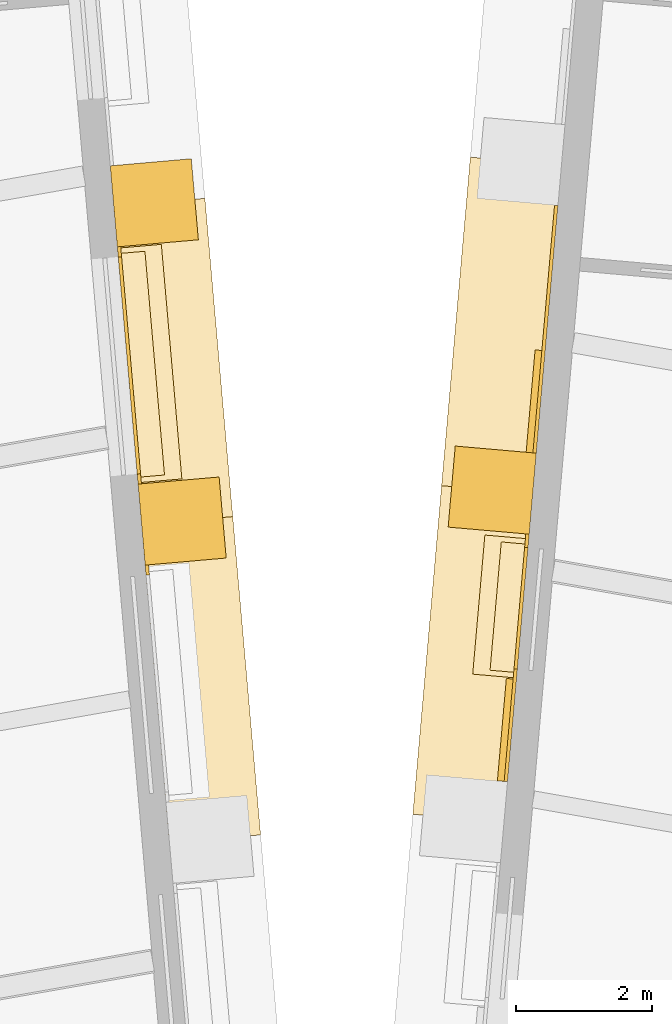
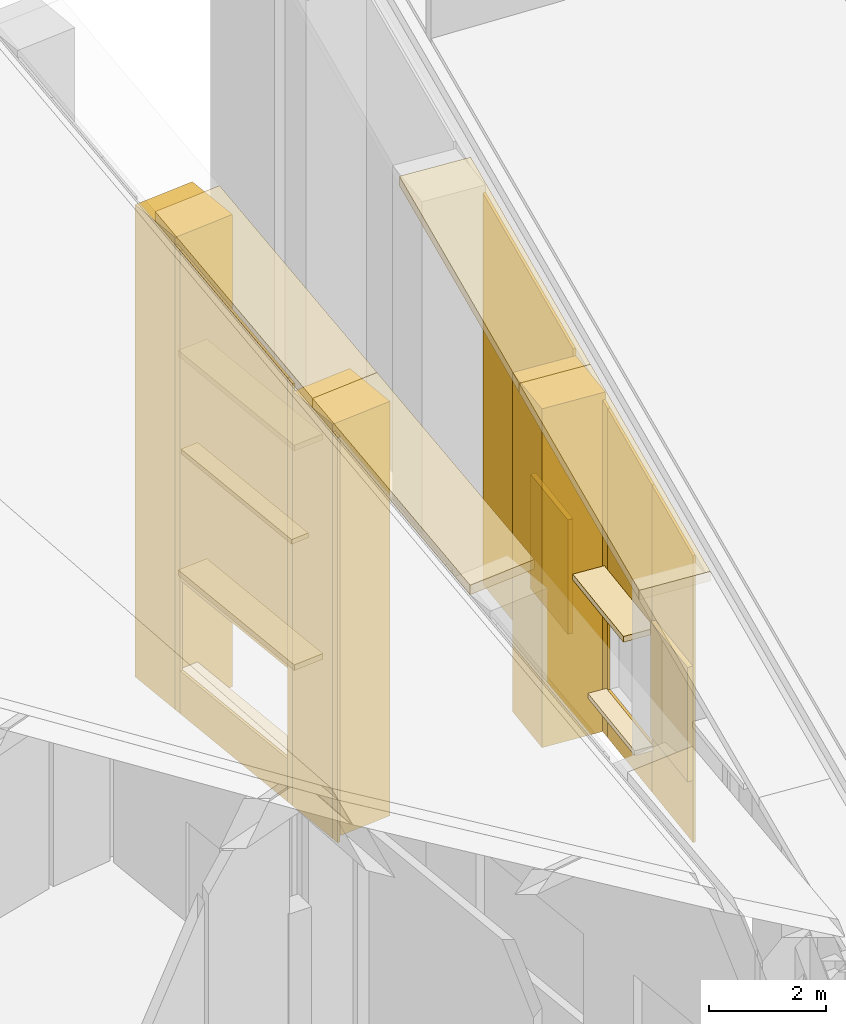
# One storey, part 77 of 82: 25 coverings.
"""IFC4 building model written with IfcOpenShell, lengths in metres."""

from ifc_helpers import new_model, si_unit, direction, frame, origin, origin_2d, place, context, subcontext, project, spatial, polyline, rectangle, outline, extrude, material, layer, layer_set, type_object, element, save


model = new_model("IFC4")

# Units and contexts
model_context = context("Model", 3, precision=1e-05, world=origin(), true_north=direction((0.0, 1.0)))
body_context = subcontext(model_context, "Body", "Model", "MODEL_VIEW")
ifc_project = project(units=[si_unit("LENGTHUNIT", "METRE"), si_unit("AREAUNIT", "SQUARE_METRE"), si_unit("VOLUMEUNIT", "CUBIC_METRE"), si_unit("PLANEANGLEUNIT", "RADIAN"), si_unit("MASSUNIT", "GRAM", prefix="KILO")], contexts=[model_context])

# Site, building, storey
site_placement = place(None, origin())
site = spatial("IfcSite", under=ifc_project, at=site_placement, CompositionType="ELEMENT")
building_placement = place(site_placement, origin())
building = spatial("IfcBuilding", under=site, at=building_placement, Name="Volute Hill Aquarium", CompositionType="ELEMENT")
storey_placement = place(building_placement, frame((0.0, 0.0, 13.800048828125)))
storey = spatial("IfcBuildingStorey", under=building, at=storey_placement, Name="L04", CompositionType="ELEMENT", Elevation=13.800048828125)

# Coverings
ifc_material_1 = material(Name="Aluminium", Category="aluminium")
ifc_layer_1 = layer(ifc_material_1, 0.10009765625)
ifc_layer_set_1 = layer_set([ifc_layer_1], Name="End wall plant louvre panel 100")
covering_type_1 = type_object("IfcCoveringType", Name="End wall plant louvre panel 100", PredefinedType="CLADDING", material=ifc_layer_set_1)
for number, where, z_axis, x_axis, name in (
    (1, (2.499755859375, 32.01416015625, 1.300048828125), (0.0, 0.0, 1.0), (0.087153815516, 0.996194866701, 0.0), "End wall plant louvre EWV S5B L04 3"),
    (2, (2.923828125, 36.861572265625, 1.300048828125), (0.0, 0.0, 1.0), (0.087153815516, 0.996194866701, 0.0), "End wall plant louvre EWV S5B L04 4"),
):
    element("IfcCovering", number, at=place(storey_placement, frame(where, z_axis=z_axis, x_axis=x_axis)), inside=storey, type_object=covering_type_1, Name=name, PredefinedType="CLADDING", context=body_context, shape_type="SweptSolid", body=[
        extrude(rectangle(XDim=1.51611328125, YDim=0.10009765625, at=origin_2d()), origin(), (0.0, 0.0, 1.0), 2.39990234375),
    ])
ifc_material_2 = material(Name="Precast concrete C40/50", Category="concrete")
covering_type_2 = type_object("IfcCoveringType", Name="End wall precast coping C40/50 1350x200", PredefinedType="CLADDING", material=ifc_material_2)
covering_1_placement = place(storey_placement, frame((2.48095703125, 30.65234375, 5.848876953125), z_axis=(0.99619545994, -0.087147034343, 0.0), x_axis=(0.08440264314, 0.964823766376, 0.248980508608)))
element("IfcCovering", 3, at=covering_1_placement, inside=storey, type_object=covering_type_2, Name="End wall coping EWC S5B L04 3", PredefinedType="CLADDING", context=body_context, shape_type="SweptSolid", body=[
    extrude(outline(polyline([(0.0, 0.0), (5.024395562110999, 0.0), (5.074179506581116, 0.19365440869544437), (0.04978394447011659, 0.1936544086954442), (0.0, 0.0)])), origin(), (0.0, 0.0, -1.0), 1.35009765625),
])
covering_2_placement = place(storey_placement, frame((2.905029296875, 35.5, 7.099853515625), z_axis=(0.996195078883, -0.08715139018, 0.0), x_axis=(0.084406600266, 0.964820407765, 0.248992181787)))
element("IfcCovering", 4, at=covering_2_placement, inside=storey, type_object=covering_type_2, Name="End wall coping EWC S5B L04 4", PredefinedType="CLADDING", context=body_context, shape_type="SweptSolid", body=[
    extrude(outline(polyline([(0.0, 0.0), (5.024160009843639, 2.220446049250313e-16), (5.0739462883797435, 0.1936538086475741), (0.04978627853610476, 0.19365380864757398), (0.0, 0.0)])), origin(), (0.0, 0.0, -1.0), 1.35009765625),
])
covering_3_placement = place(storey_placement, frame((-1.109619140625, 30.4658203125, 7.47021484375), z_axis=(0.996193211486, 0.087172733059, 0.0), x_axis=(-0.084426732205, 0.964812442367, 0.249016220242)))
element("IfcCovering", 5, at=covering_3_placement, inside=storey, type_object=covering_type_2, Name="End wall coping EWC S6A L04 3", PredefinedType="CLADDING", context=body_context, shape_type="SweptSolid", body=[
    extrude(outline(polyline([(0.0, 0.0), (4.866807717680861, -2.220446049250313e-16), (4.916598802734071, 0.19365257288094506), (0.049851880028855024, 0.19388902290888285), (0.0, 0.0)])), origin(), (0.0, 0.0, -1.0), 1.35009765625),
])
covering_4_placement = place(storey_placement, frame((-1.5205078125, 35.161376953125, 8.68212890625), z_axis=(0.996197315023, 0.087125825908, 0.0), x_axis=(-0.084382063124, 0.964825111774, 0.248982270681)))
element("IfcCovering", 6, at=covering_4_placement, inside=storey, type_object=covering_type_2, Name="End wall coping EWC S6A L04 4", PredefinedType="CLADDING", context=body_context, shape_type="SweptSolid", body=[
    extrude(outline(polyline([(0.0, 0.0), (4.866490768847544, 0.0), (4.916275065646276, 0.19365431811979206), (0.04978429679873208, 0.1936543181197919), (0.0, 0.0)])), origin(), (0.0, 0.0, -1.0), 1.35009765625),
])
ifc_material_3 = material(Name="Precast concrete C40/50", Category="concrete")
covering_type_3 = type_object("IfcCoveringType", Name="End wall precast fin C40/50 1200x1200", PredefinedType="CLADDING", material=ifc_material_3)
covering_5_placement = place(storey_placement, frame((2.307373046875, 35.55224609375, 0.0), z_axis=(0.0, 0.0, 1.0), x_axis=(0.087153815516, 0.996194866701, 0.0)))
element("IfcCovering", 7, at=covering_5_placement, inside=storey, type_object=covering_type_3, Name="End wall fin EWF S5B L04 4", PredefinedType="CLADDING", context=body_context, shape_type="SweptSolid", body=[
    extrude(rectangle(XDim=1.199951171875, YDim=1.199951171875, at=origin_2d()), origin(), (0.0, 0.0, 1.0), 7.099853515625),
])
covering_6_placement = place(storey_placement, frame((-2.267578125, 35.095947265625, 0.0), z_axis=(0.0, 0.0, 1.0), x_axis=(-0.08715511842, 0.996194752713, 0.0)))
element("IfcCovering", 8, at=covering_6_placement, inside=storey, type_object=covering_type_3, Name="End wall fin EWF S6A L04 4", PredefinedType="CLADDING", context=body_context, shape_type="SweptSolid", body=[
    extrude(rectangle(XDim=1.199951171875, YDim=1.199951171875, at=origin_2d()), origin(), (0.0, 0.0, 1.0), 8.68212890625),
])
covering_7_placement = place(storey_placement, frame((-2.67822265625, 39.791259765625, 0.0), z_axis=(0.0, 0.0, 1.0), x_axis=(-0.08715511842, 0.996194752713, 0.0)))
element("IfcCovering", 9, at=covering_7_placement, inside=storey, type_object=covering_type_3, Name="End wall fin EWF S6A L04 5", PredefinedType="CLADDING", context=body_context, shape_type="SweptSolid", body=[
    extrude(rectangle(XDim=1.199951171875, YDim=1.199951171875, at=origin_2d()), origin(), (0.0, 0.0, 1.0), 9.893798828125),
])
ifc_material_4 = material(Name="Precast concrete C40/50", Category="concrete")
ifc_layer_2 = layer(ifc_material_4, 0.050048828125)
ifc_layer_set_2 = layer_set([ifc_layer_2], Name="End wall precast infill panel C40/50 50")
covering_type_4 = type_object("IfcCoveringType", Name="End wall precast infill panel C40/50 50", PredefinedType="CLADDING", material=ifc_layer_set_2)
covering_8_placement = place(storey_placement, frame((2.533203125, 31.25, 0.0), z_axis=(0.996192604141, -0.087179673403, 0.0), x_axis=(0.087179673403, 0.996192604141, 0.0)))
element("IfcCovering", 10, at=covering_8_placement, inside=storey, type_object=covering_type_4, Name="End wall panel EWP S5B L04 3", PredefinedType="CLADDING", context=body_context, shape_type="SweptSolid", body=[
    extrude(outline(polyline([(0.0, 0.0), (1.666256206354944, 0.0), (1.666256206354944, 6.431396484375), (0.0, 6.003173828125), (0.0, 0.0)])), origin(), (0.0, 0.0, -1.0), 0.050048828125),
])
covering_9_placement = place(storey_placement, frame((2.678466796875, 32.909912109375, 0.0), z_axis=(0.996190036199, -0.087209012019, 0.0), x_axis=(0.087209012019, 0.996190036199, 0.0)))
element("IfcCovering", 11, at=covering_9_placement, inside=storey, type_object=covering_type_4, Name="End wall panel EWP S5B L04 3", PredefinedType="CLADDING", context=body_context, shape_type="SweptSolid", body=[
    extrude(outline(polyline([(0.0, 0.0), (1.8000710963407553, 0.0), (1.8000710963407553, 1.0), (0.0, 1.0), (0.0, 0.0)])), origin(), (0.0, 0.0, -1.0), 0.050048828125),
])
covering_10_placement = place(storey_placement, frame((2.678466796875, 32.909912109375, 3.39990234375), z_axis=(0.996190036199, -0.087209012019, 0.0), x_axis=(0.087209012019, 0.996190036199, 0.0)))
element("IfcCovering", 12, at=covering_10_placement, inside=storey, type_object=covering_type_4, Name="End wall panel EWP S5B L04 3", PredefinedType="CLADDING", context=body_context, shape_type="SweptSolid", body=[
    extrude(outline(polyline([(0.0, 0.0), (1.8000710963407553, 0.0), (1.8000710963407553, 3.494384765625001), (0.0, 3.031494140625001), (0.0, 0.0)])), origin(), (0.0, 0.0, -1.0), 0.050048828125),
])
covering_11_placement = place(storey_placement, frame((2.83544921875, 34.703125, 0.0), z_axis=(0.996226815431, -0.086787857541, 0.0), x_axis=(0.086787857541, 0.996226815431, 0.0)))
element("IfcCovering", 13, at=covering_11_placement, inside=storey, type_object=covering_type_4, Name="End wall panel EWP S5B L04 3", PredefinedType="CLADDING", context=body_context, shape_type="SweptSolid", body=[
    extrude(outline(polyline([(0.0, 0.0), (0.19972822081580408, 0.0), (0.19972822081580408, 6.945556640625), (0.0, 6.894287109375), (0.0, 0.0)])), origin(), (0.0, 0.0, -1.0), 0.050048828125),
])
covering_12_placement = place(storey_placement, frame((2.957275390625, 36.09765625, 0.0), z_axis=(0.996193211486, -0.087172733059, 0.0), x_axis=(0.087172733059, 0.996193211486, 0.0)))
element("IfcCovering", 14, at=covering_12_placement, inside=storey, type_object=covering_type_4, Name="End wall panel EWP S5B L04 4", PredefinedType="CLADDING", context=body_context, shape_type="SweptSolid", body=[
    extrude(outline(polyline([(0.0, 0.0), (3.666055507371841, 0.0), (3.666055507371841, 8.196533203125), (0.0, 7.25390625), (0.0, 0.0)])), origin(), (0.0, 0.0, -1.0), 0.050048828125),
])
covering_13_placement = place(storey_placement, frame((-2.75, 34.30078125, 0.0), z_axis=(0.996129850025, 0.087893810296, 0.0), x_axis=(-0.087893810296, 0.996129850025, 0.0)))
element("IfcCovering", 15, at=covering_13_placement, inside=storey, type_object=covering_type_4, Name="End wall panel EWP S6A L04 3", PredefinedType="CLADDING", context=body_context, shape_type="SweptSolid", body=[
    extrude(outline(polyline([(0.0, 0.0), (0.14999456395789465, 0.0), (0.14999456395789465, 8.52783203125), (0.0, 8.4892578125), (0.0, 0.0)])), origin(), (0.0, 0.0, -1.0), 0.050048828125),
])
covering_14_placement = place(storey_placement, frame((-2.86767578125, 35.645751953125, 0.0), z_axis=(0.996129850025, 0.087893810296, 0.0), x_axis=(-0.087893810296, 0.996129850025, 0.0)))
element("IfcCovering", 16, at=covering_14_placement, inside=storey, type_object=covering_type_4, Name="End wall panel EWP S6A L04 4", PredefinedType="CLADDING", context=body_context, shape_type="SweptSolid", body=[
    extrude(outline(polyline([(0.0, 0.0), (0.14999456395789465, 0.0), (0.14999456395789465, 8.874755859375), (0.0, 8.836181640625), (0.0, 0.0)])), origin(), (0.0, 0.0, -1.0), 0.050048828125),
])
covering_15_placement = place(storey_placement, frame((-2.880859375, 35.795166015625, 0.0), z_axis=(0.996195696453, 0.087144330677, 0.0), x_axis=(-0.087144330677, 0.996195696453, 0.0)))
element("IfcCovering", 17, at=covering_15_placement, inside=storey, type_object=covering_type_4, Name="End wall panel EWP S6A L04 4", PredefinedType="CLADDING", context=body_context, shape_type="SweptSolid", body=[
    extrude(outline(polyline([(0.0, 0.0), (3.213396611126507, 0.0), (3.213396611126507, 0.89990234375), (0.0, 0.89990234375), (0.0, 0.0)])), origin(), (0.0, 0.0, -1.0), 0.050048828125),
])
covering_16_placement = place(storey_placement, frame((-2.880859375, 35.795166015625, 2.800048828125), z_axis=(0.996195696453, 0.087144330677, 0.0), x_axis=(-0.087144330677, 0.996195696453, 0.0)))
element("IfcCovering", 18, at=covering_16_placement, inside=storey, type_object=covering_type_4, Name="End wall panel EWP S6A L04 4", PredefinedType="CLADDING", context=body_context, shape_type="SweptSolid", body=[
    extrude(outline(polyline([(0.0, 0.0), (3.213396611126507, 0.0), (3.213396611126507, 6.90087890625), (0.0, 6.07470703125), (0.0, 0.0)])), origin(), (0.0, 0.0, -1.0), 0.050048828125),
])
covering_17_placement = place(storey_placement, frame((-3.160888671875, 38.996337890625, 0.0), z_axis=(0.99627106838, 0.086278376837, 0.0), x_axis=(-0.086278376837, 0.99627106838, 0.0)))
element("IfcCovering", 19, at=covering_17_placement, inside=storey, type_object=covering_type_4, Name="End wall panel EWP S6A L04 4", PredefinedType="CLADDING", context=body_context, shape_type="SweptSolid", body=[
    extrude(outline(polyline([(0.0, 0.0), (0.14997330269060552, 0.0), (0.14997330269060552, 9.739501953125), (0.0, 9.700927734375), (0.0, 0.0)])), origin(), (0.0, 0.0, -1.0), 0.050048828125),
])
ifc_material_5 = material(Name="Precast concrete C40/50", Category="concrete")
ifc_layer_3 = layer(ifc_material_5, 0.1201171875)
ifc_layer_set_3 = layer_set([ifc_layer_3], Name="End wall window head blade precast C40/50 600x120")
covering_type_5 = type_object("IfcCoveringType", Name="End wall window head blade precast C40/50 600x120", PredefinedType="CLADDING", material=ifc_layer_set_3)
covering_18_placement = place(storey_placement, frame((2.408203125, 33.837158203125, 3.39990234375), z_axis=(0.0, 0.0, 1.0), x_axis=(0.087153815516, 0.996194866701, 0.0)))
element("IfcCovering", 20, at=covering_18_placement, inside=storey, type_object=covering_type_5, Name="End wall window head blade EWB S5B L04 3.1", PredefinedType="CLADDING", context=body_context, shape_type="SweptSolid", body=[
    extrude(rectangle(XDim=2.06005859375, YDim=0.60009765625, at=origin_2d()), origin(), (0.0, 0.0, 1.0), 0.1201171875),
])
for number, where, z_axis, x_axis, name in (
    (21, (-2.721923828125, 37.421875, 2.7998046875), (0.0, 0.0, 1.0), (-0.08715511842, 0.996194752713, 0.0), "End wall window head blade EWB S6A L04 4.1"),
    (22, (-2.721923828125, 37.421875, 7.39990234375), (0.0, 0.0, 1.0), (-0.08715511842, 0.996194752713, 0.0), "End wall window head blade EWB S6A L04 4.2"),
):
    element("IfcCovering", number, at=place(storey_placement, frame(where, z_axis=z_axis, x_axis=x_axis)), inside=storey, type_object=covering_type_5, Name=name, PredefinedType="CLADDING", context=body_context, shape_type="SweptSolid", body=[
        extrude(rectangle(XDim=3.473388671875, YDim=0.60009765625, at=origin_2d()), origin(), (0.0, 0.0, 1.0), 0.1201171875),
    ])
ifc_material_6 = material(Name="Precast concrete C40/50", Category="concrete")
ifc_layer_4 = layer(ifc_material_6, 0.10009765625)
ifc_layer_set_4 = layer_set([ifc_layer_4], Name="End wall window sill precast C40/50 350x100")
covering_type_6 = type_object("IfcCoveringType", Name="End wall window sill precast C40/50 350x100", PredefinedType="CLADDING", material=ifc_layer_set_4)
covering_19_placement = place(storey_placement, frame((2.53271484375, 33.826171875, 0.89990234375), z_axis=(0.0, 0.0, 1.0), x_axis=(0.087153815516, 0.996194866701, 0.0)))
element("IfcCovering", 23, at=covering_19_placement, inside=storey, type_object=covering_type_6, Name="End wall window sill EWS S5B L04 3.1", PredefinedType="CLADDING", context=body_context, shape_type="SweptSolid", body=[
    extrude(rectangle(XDim=1.89990234375, YDim=0.35009765625, at=origin_2d()), origin(), (0.0, 0.0, 1.0), 0.10009765625),
])
for number, where, z_axis, x_axis, name in (
    (24, (-2.846435546875, 37.410888671875, 0.7998046875), (0.0, 0.0, 1.0), (-0.08715511842, 0.996194752713, 0.0), "End wall window sill EWS S6A L04 4.1"),
    (25, (-2.846435546875, 37.410888671875, 5.39990234375), (0.0, 0.0, 1.0), (-0.08715511842, 0.996194752713, 0.0), "End wall window sill EWS S6A L04 4.2"),
):
    element("IfcCovering", number, at=place(storey_placement, frame(where, z_axis=z_axis, x_axis=x_axis)), inside=storey, type_object=covering_type_6, Name=name, PredefinedType="CLADDING", context=body_context, shape_type="SweptSolid", body=[
        extrude(rectangle(XDim=3.313232421875, YDim=0.35009765625, at=origin_2d()), origin(), (0.0, 0.0, 1.0), 0.10009765625),
    ])

save(model, "model.ifc")
